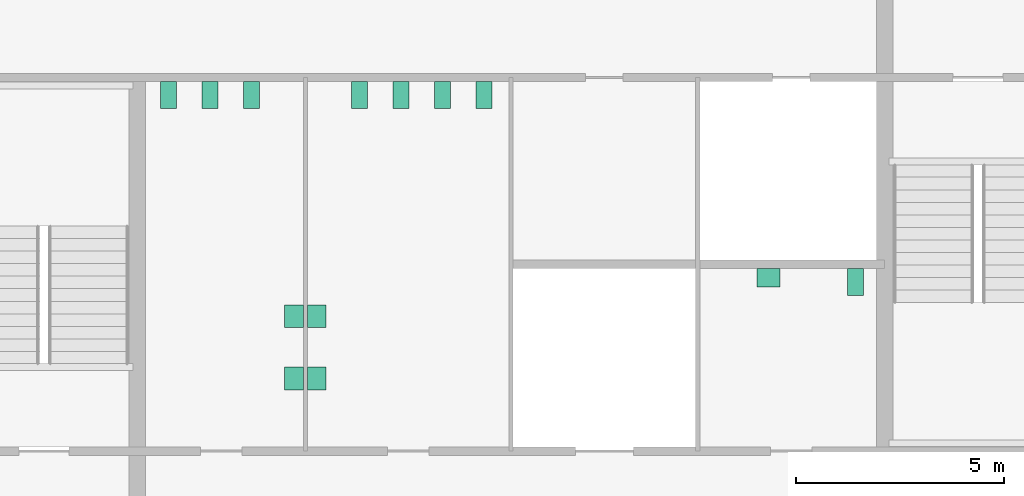
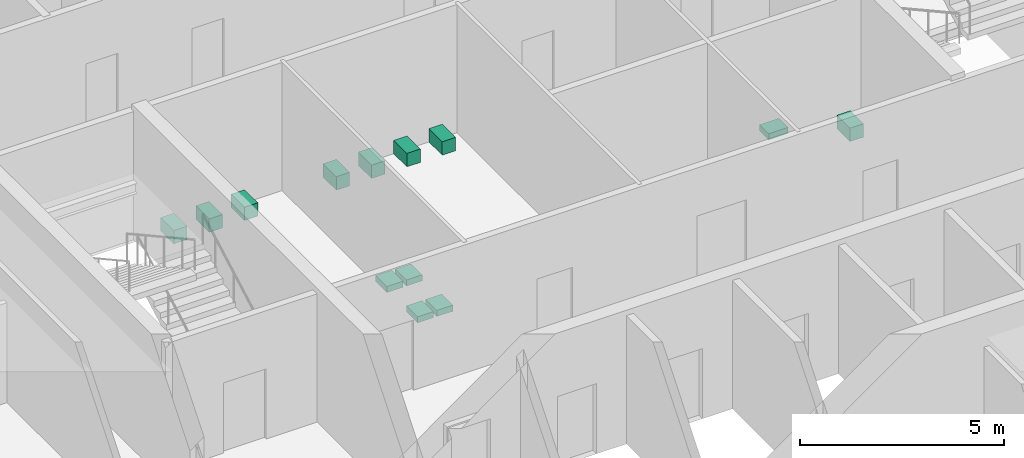
# One storey, part 14 of 14: 13 sanitary terminals.
"""IFC4 building model written with IfcOpenShell, lengths in metres."""

from ifc_helpers import new_model, si_unit, direction, frame, origin, origin_2d, place, context, subcontext, project, spatial, rectangle, extrude, material, type_object, element, save


model = new_model("IFC4")

# Units and contexts
model_context = context("Model", 3, precision=1e-05, world=origin(), true_north=direction((0.0, 1.0)))
body_context = subcontext(model_context, "Body", "Model", "MODEL_VIEW")
ifc_project = project(units=[si_unit("LENGTHUNIT", "METRE"), si_unit("AREAUNIT", "SQUARE_METRE"), si_unit("VOLUMEUNIT", "CUBIC_METRE"), si_unit("PLANEANGLEUNIT", "RADIAN"), si_unit("MASSUNIT", "GRAM", prefix="KILO")], contexts=[model_context])

# Site, building, storey
site_placement = place(None, origin())
site = spatial("IfcSite", under=ifc_project, at=site_placement, CompositionType="ELEMENT")
building_placement = place(site_placement, origin())
building = spatial("IfcBuilding", under=site, at=building_placement, Name="Corais Broadcast Tower", CompositionType="ELEMENT")
storey_placement = place(building_placement, frame((0.0, 0.0, 266.60009765625)))
storey = spatial("IfcBuildingStorey", under=building, at=storey_placement, Name="L62", CompositionType="ELEMENT", Elevation=266.60009765625)

# Sanitary terminals
ifc_material_1 = material(Name="Vitreous china", Category="ceramic")
sanitary_terminal_type_1 = type_object("IfcSanitaryTerminalType", Name="WC pan 380x650", PredefinedType="TOILETPAN", material=ifc_material_1)
for number, where, z_axis, x_axis, name in (
    (1, (18.75, 31.074951171875, 0.0), (0.0, 0.0, 1.0), (1.0, 0.0, 0.0), "SW1 WC pan, male toilets L62"),
    (2, (19.75, 31.074951171875, 0.0), (0.0, 0.0, 1.0), (1.0, 0.0, 0.0), "SW1 WC pan, male toilets L62"),
    (3, (20.75, 31.074951171875, 0.0), (0.0, 0.0, 1.0), (1.0, 0.0, 0.0), "SW1 WC pan, male toilets L62"),
    (4, (23.35009765625, 31.074951171875, 0.0), (0.0, 0.0, 1.0), (1.0, 0.0, 0.0), "SW1 WC pan, female toilets L62"),
    (5, (24.35009765625, 31.074951171875, 0.0), (0.0, 0.0, 1.0), (1.0, 0.0, 0.0), "SW1 WC pan, female toilets L62"),
    (6, (25.35009765625, 31.074951171875, 0.0), (0.0, 0.0, 1.0), (1.0, 0.0, 0.0), "SW1 WC pan, female toilets L62"),
    (7, (26.35009765625, 31.074951171875, 0.0), (0.0, 0.0, 1.0), (1.0, 0.0, 0.0), "SW1 WC pan, female toilets L62"),
    (8, (35.300048828125, 26.574951171875, 0.0), (0.0, 0.0, 1.0), (1.0, 0.0, 0.0), "SW1 WC pan, accessible WC L62"),
):
    element("IfcSanitaryTerminal", number, at=place(storey_placement, frame(where, z_axis=z_axis, x_axis=x_axis)), inside=storey, type_object=sanitary_terminal_type_1, Name=name, PredefinedType="TOILETPAN", context=body_context, shape_type="SweptSolid", body=[
        extrude(rectangle(XDim=0.3798828125, YDim=0.64990234375, at=origin_2d()), origin(), (0.0, 0.0, 1.0), 0.39990234375),
    ])
ifc_material_2 = material(Name="Vitreous china", Category="ceramic")
sanitary_terminal_type_2 = type_object("IfcSanitaryTerminalType", Name="Wash basin 550x450", PredefinedType="WASHHANDBASIN", material=ifc_material_2)
for number, where, z_axis, x_axis, name in (
    (9, (21.77490234375, 24.25, 0.69970703125), (0.0, 0.0, 1.0), (1.0, 0.0, 0.0), "WB1 wash basin, male toilets L62"),
    (10, (21.77490234375, 25.75, 0.69970703125), (0.0, 0.0, 1.0), (1.0, 0.0, 0.0), "WB1 wash basin, male toilets L62"),
    (11, (22.324951171875, 24.25, 0.69970703125), (0.0, 0.0, 1.0), (1.0, 0.0, 0.0), "WB1 wash basin, female toilets L62"),
    (12, (22.324951171875, 25.75, 0.69970703125), (0.0, 0.0, 1.0), (1.0, 0.0, 0.0), "WB1 wash basin, female toilets L62"),
):
    element("IfcSanitaryTerminal", number, at=place(storey_placement, frame(where, z_axis=z_axis, x_axis=x_axis)), inside=storey, type_object=sanitary_terminal_type_2, Name=name, PredefinedType="WASHHANDBASIN", context=body_context, shape_type="SweptSolid", body=[
        extrude(rectangle(XDim=0.449951171875, YDim=0.550048828125, at=origin_2d()), origin(), (0.0, 0.0, 1.0), 0.179931640625),
    ])
sanitary_terminal_placement = place(storey_placement, frame((33.199951171875, 26.675048828125, 0.69970703125), z_axis=(0.0, 0.0, 1.0), x_axis=(1.0, 0.0, 0.0)))
element("IfcSanitaryTerminal", 13, at=sanitary_terminal_placement, inside=storey, type_object=sanitary_terminal_type_2, Name="WB1 wash basin, accessible WC L62", PredefinedType="WASHHANDBASIN", context=body_context, shape_type="SweptSolid", body=[
    extrude(rectangle(XDim=0.550048828125, YDim=0.449951171875, at=origin_2d()), origin(), (0.0, 0.0, 1.0), 0.179931640625),
])

save(model, "model.ifc")
